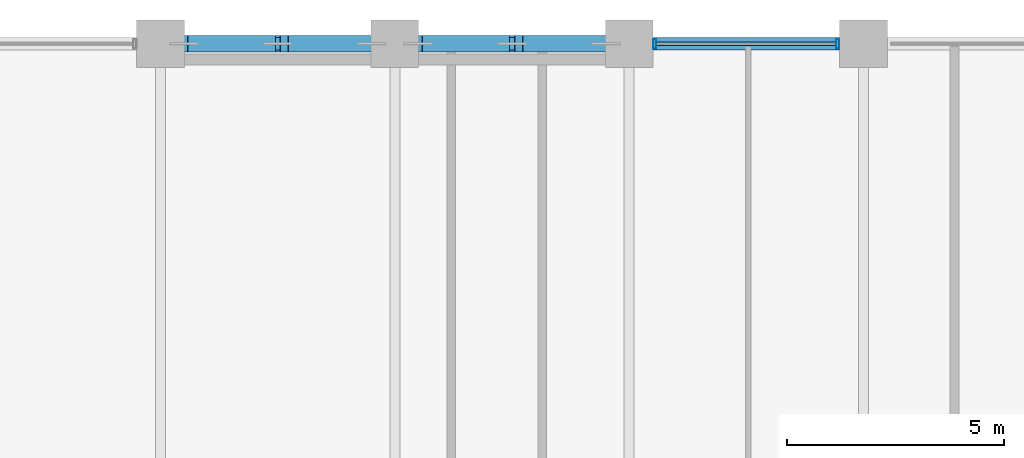
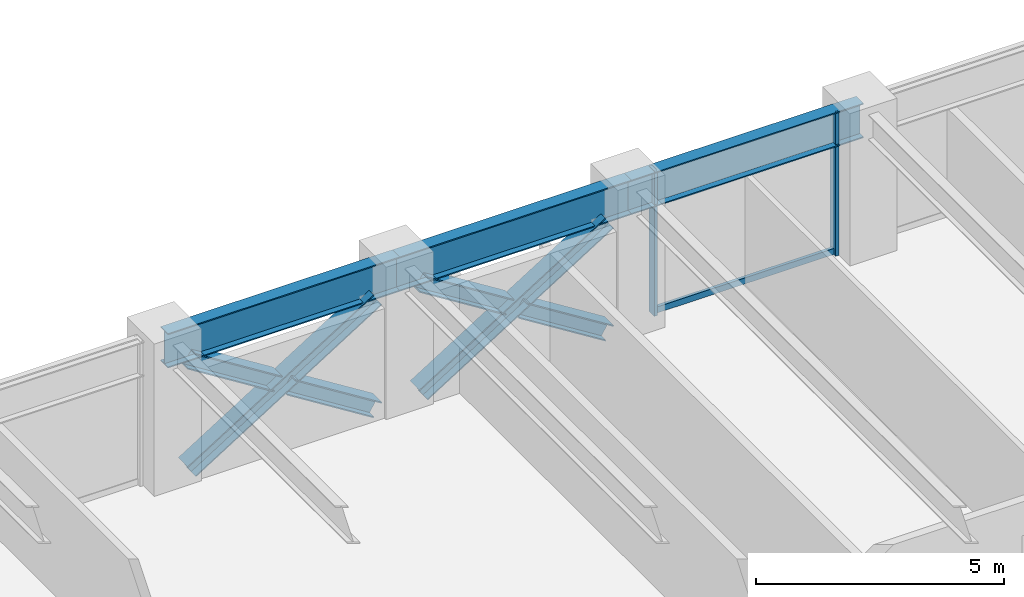
# One storey, part 18 of 29: 9 members, 3 beams, 1 element without a shape of its own.
"""IFC4 building model written with IfcOpenShell, lengths in metres."""

from ifc_helpers import new_model, si_unit, direction, frame, origin, origin_2d, place, context, subcontext, project, spatial, hollow_rectangle, i_section, extrude, material, layer, layer_set, material_profile, profile_set, type_object, element, aggregate, save


model = new_model("IFC4")

# Units and contexts
model_context = context("Model", 3, precision=1e-05, world=origin(), true_north=direction((0.0, 1.0)))
body_context = subcontext(model_context, "Body", "Model", "MODEL_VIEW")
ifc_project = project(units=[si_unit("LENGTHUNIT", "METRE"), si_unit("AREAUNIT", "SQUARE_METRE"), si_unit("VOLUMEUNIT", "CUBIC_METRE"), si_unit("PLANEANGLEUNIT", "RADIAN"), si_unit("MASSUNIT", "GRAM", prefix="KILO")], contexts=[model_context])

# Site, building, storey
site_placement = place(None, origin())
site = spatial("IfcSite", under=ifc_project, at=site_placement, CompositionType="ELEMENT")
building_placement = place(site_placement, origin())
building = spatial("IfcBuilding", under=site, at=building_placement, Name="Surkhivell Harbour Commons", CompositionType="ELEMENT")
storey_placement = place(building_placement, frame((0.0, 0.0, 90.75)))
storey = spatial("IfcBuildingStorey", under=building, at=storey_placement, Name="L23", CompositionType="ELEMENT", Elevation=90.75)

# Beams
ifc_material_1 = material(Name="Steel S460", Category="steel")
ifc_material_profile_1 = material_profile(ifc_material_1, i_section(OverallWidth=0.2939453125, OverallDepth=0.85107421875, WebThickness=0.01611328125, FlangeThickness=0.02685546875, at=origin_2d()), Name="UB838x292x226")
ifc_profile_set_1 = profile_set([ifc_material_profile_1], Name="Steel S460")
beam_type = type_object("IfcBeamType", Name="BM-SPN-838", PredefinedType="SPANDREL", material=ifc_profile_set_1)
for number, where, z_axis, x_axis, name in (
    (1, (-5.39990234375, 25.89990234375, 3.14453125), (1.0, 0.0, 0.0), (0.0, 1.0, 0.0), "L23 Tube Spandrel (-5.4,25.9)"),
    (2, (0.0, 25.89990234375, 3.14453125), (1.0, 0.0, 0.0), (0.0, 1.0, 0.0), "L23 Tube Spandrel (-0.0,25.9)"),
):
    element("IfcBeam", number, at=place(storey_placement, frame(where, z_axis=z_axis, x_axis=x_axis)), inside=storey, type_object=beam_type, Name=name, PredefinedType="SPANDREL", context=body_context, shape_type="SweptSolid", body=[
        extrude(i_section(OverallWidth=0.2939453125, OverallDepth=0.85107421875, WebThickness=0.01611328125, FlangeThickness=0.02685546875, at=origin_2d()), origin(), (0.0, 0.0, 1.0), 5.39990234375),
    ])
beam_placement = place(storey_placement, frame((5.39990234375, 25.89990234375, 3.14453125), z_axis=(1.0, 0.0, 0.0), x_axis=(0.0, 1.0, 0.0)))
element("IfcBeam", 3, at=beam_placement, inside=storey, type_object=beam_type, Name="L23 Tube Spandrel (5.4,25.9)", PredefinedType="SPANDREL", context=body_context, shape_type="SweptSolid", body=[
    extrude(i_section(OverallWidth=0.2939453125, OverallDepth=0.85107421875, WebThickness=0.01611328125, FlangeThickness=0.02685546875, at=origin_2d()), origin(), (0.0, 0.0, 1.0), 5.400146484375),
])

# Curtain wall, members
ifc_material_2 = material(Name="Anodised pale-metal aluminium and insulated glazing", Category="aluminium")
ifc_layer = layer(ifc_material_2, 0.205078125)
ifc_layer_set = layer_set([ifc_layer], Name="Anodised pale-metal aluminium and insulated glazing")
curtain_wall_type = type_object("IfcCurtainWallType", Name="CW-SYS-Z2", PredefinedType="NOTDEFINED", material=ifc_layer_set)
curtain_wall_placement = place(storey_placement, origin())
curtain_wall = element("IfcCurtainWall", 4, at=curtain_wall_placement, inside=storey, type_object=curtain_wall_type, Name="L23 Curtain Wall CW-L23-E07S1", PredefinedType="NOTDEFINED")
ifc_material_3 = material(Name="Anodised pale-metal aluminium alloy 6063-T6", Category="aluminium")
ifc_material_profile_2 = material_profile(ifc_material_3, hollow_rectangle(XDim=0.074951171875, YDim=0.219970703125, WallThickness=0.00390625, at=origin_2d()), Name="ALU-MULL-75x220")
ifc_profile_set_2 = profile_set([ifc_material_profile_2], Name="Anodised pale-metal aluminium alloy 6063-T6")
member_type_1 = type_object("IfcMemberType", Name="CWM-220", PredefinedType="MULLION", material=ifc_profile_set_2)
member_1_placement = place(storey_placement, frame((10.21044921875, 25.89990234375, 0.0), z_axis=(0.0, 0.0, 1.0), x_axis=(-1.0, 0.0, 0.0)))
member_1 = element("IfcMember", 5, at=member_1_placement, type_object=member_type_1, Name="CW-Z2 mullion 2", PredefinedType="MULLION", context=body_context, shape_type="SweptSolid", body=[
    extrude(hollow_rectangle(XDim=0.074951171875, YDim=0.219970703125, WallThickness=0.00390625, at=origin_2d()), origin(), (0.0, 0.0, 1.0), 3.570068359375),
])
member_2_placement = place(storey_placement, frame((5.989501953125, 25.89990234375, 0.0), z_axis=(0.0, 0.0, 1.0), x_axis=(-1.0, 0.0, 0.0)))
member_2 = element("IfcMember", 6, at=member_2_placement, type_object=member_type_1, Name="CW-Z2 mullion 3", PredefinedType="MULLION", context=body_context, shape_type="SweptSolid", body=[
    extrude(hollow_rectangle(XDim=0.074951171875, YDim=0.219970703125, WallThickness=0.00390625, at=origin_2d()), origin(), (0.0, 0.0, 1.0), 3.570068359375),
])
ifc_material_profile_3 = material_profile(ifc_material_3, hollow_rectangle(XDim=0.074951171875, YDim=0.14990234375, WallThickness=0.00341796875, at=origin_2d()), Name="ALU-TRAN-75x150")
ifc_profile_set_3 = profile_set([ifc_material_profile_3], Name="Anodised pale-metal aluminium alloy 6063-T6")
member_type_2 = type_object("IfcMemberType", Name="CWT-150", PredefinedType="USERDEFINED", material=ifc_profile_set_3)
member_3_placement = place(storey_placement, frame((10.173095703125, 25.89990234375, 0.074951171875), z_axis=(-1.0, 0.0, 0.0), x_axis=(0.0, -1.0, 0.0)))
member_3 = element("IfcMember", 7, at=member_3_placement, type_object=member_type_2, Name="CW-Z2 transom 2.1", ObjectType="TRANSOM", PredefinedType="USERDEFINED", context=body_context, shape_type="SweptSolid", body=[
    extrude(hollow_rectangle(XDim=0.074951171875, YDim=0.14990234375, WallThickness=0.00341796875, at=origin_2d()), origin(), (0.0, 0.0, 1.0), 4.14599609375),
])
aggregate(curtain_wall, [member_1, member_2, member_3])

# Members
ifc_material_profile_4 = material_profile(ifc_material_1, i_section(OverallWidth=0.375, OverallDepth=0.375, WebThickness=0.0166015625, FlangeThickness=0.027099609375, at=origin_2d()), Name="UC356x368x202")
ifc_profile_set_4 = profile_set([ifc_material_profile_4], Name="Steel S460")
member_type_3 = type_object("IfcMemberType", Name="MEM-BRC-UC356", PredefinedType="BRACE", material=ifc_profile_set_4)
member_4_placement = place(storey_placement, frame((-4.864990234375, 25.89990234375, 0.008056640625), z_axis=(0.847246015888, 0.0, 0.531200704594), x_axis=(0.0, 1.0, 0.0)))
element("IfcMember", 8, at=member_4_placement, inside=storey, type_object=member_type_3, Name="L23 Perimeter Mega-Brace MB- 01", PredefinedType="BRACE", context=body_context, shape_type="SweptSolid", body=[
    extrude(i_section(OverallWidth=0.375, OverallDepth=0.375, WebThickness=0.0166015625, FlangeThickness=0.027099609375, at=origin_2d()), origin(), (0.0, 0.0, 1.0), 5.11083984375),
])
member_5_placement = place(storey_placement, frame((-0.534912109375, 25.89990234375, 0.008056640625), z_axis=(-0.8472353132, 0.0, 0.531217774615), x_axis=(0.0, -1.0, 0.0)))
element("IfcMember", 9, at=member_5_placement, inside=storey, type_object=member_type_3, Name="L23 Perimeter Mega-Brace MB- 02", PredefinedType="BRACE", context=body_context, shape_type="SweptSolid", body=[
    extrude(i_section(OverallWidth=0.375, OverallDepth=0.375, WebThickness=0.0166015625, FlangeThickness=0.027099609375, at=origin_2d()), origin(), (0.0, 0.0, 1.0), 2.37548828125),
])
member_6_placement = place(storey_placement, frame((-2.8525390625, 25.89990234375, 1.461181640625), z_axis=(-0.84725256761, 0.0, 0.53119025469), x_axis=(0.0, -1.0, 0.0)))
element("IfcMember", 10, at=member_6_placement, inside=storey, type_object=member_type_3, Name="L23 Perimeter Mega-Brace MB- 03", PredefinedType="BRACE", context=body_context, shape_type="SweptSolid", body=[
    extrude(i_section(OverallWidth=0.375, OverallDepth=0.375, WebThickness=0.0166015625, FlangeThickness=0.027099609375, at=origin_2d()), origin(), (0.0, 0.0, 1.0), 2.375244140625),
])
member_7_placement = place(storey_placement, frame((0.534912109375, 25.89990234375, 0.008056640625), z_axis=(0.847246015888, 0.0, 0.531200704594), x_axis=(0.0, 1.0, 0.0)))
element("IfcMember", 11, at=member_7_placement, inside=storey, type_object=member_type_3, Name="L23 Perimeter Mega-Brace MB- 04", PredefinedType="BRACE", context=body_context, shape_type="SweptSolid", body=[
    extrude(i_section(OverallWidth=0.375, OverallDepth=0.375, WebThickness=0.0166015625, FlangeThickness=0.027099609375, at=origin_2d()), origin(), (0.0, 0.0, 1.0), 5.11083984375),
])
for number, where, z_axis, x_axis, name in (
    (12, (4.864990234375, 25.89990234375, 0.008056640625), (-0.847206308526, 0.0, 0.53126403115), (0.0, -1.0, 0.0), "L23 Perimeter Mega-Brace MB- 05"),
    (13, (2.547607421875, 25.89990234375, 1.461181640625), (-0.847281565812, 0.0, 0.531143999529), (0.0, -1.0, 0.0), "L23 Perimeter Mega-Brace MB- 06"),
):
    element("IfcMember", number, at=place(storey_placement, frame(where, z_axis=z_axis, x_axis=x_axis)), inside=storey, type_object=member_type_3, Name=name, PredefinedType="BRACE", context=body_context, shape_type="SweptSolid", body=[
        extrude(i_section(OverallWidth=0.375, OverallDepth=0.375, WebThickness=0.0166015625, FlangeThickness=0.027099609375, at=origin_2d()), origin(), (0.0, 0.0, 1.0), 2.37548828125),
    ])

save(model, "model.ifc")
